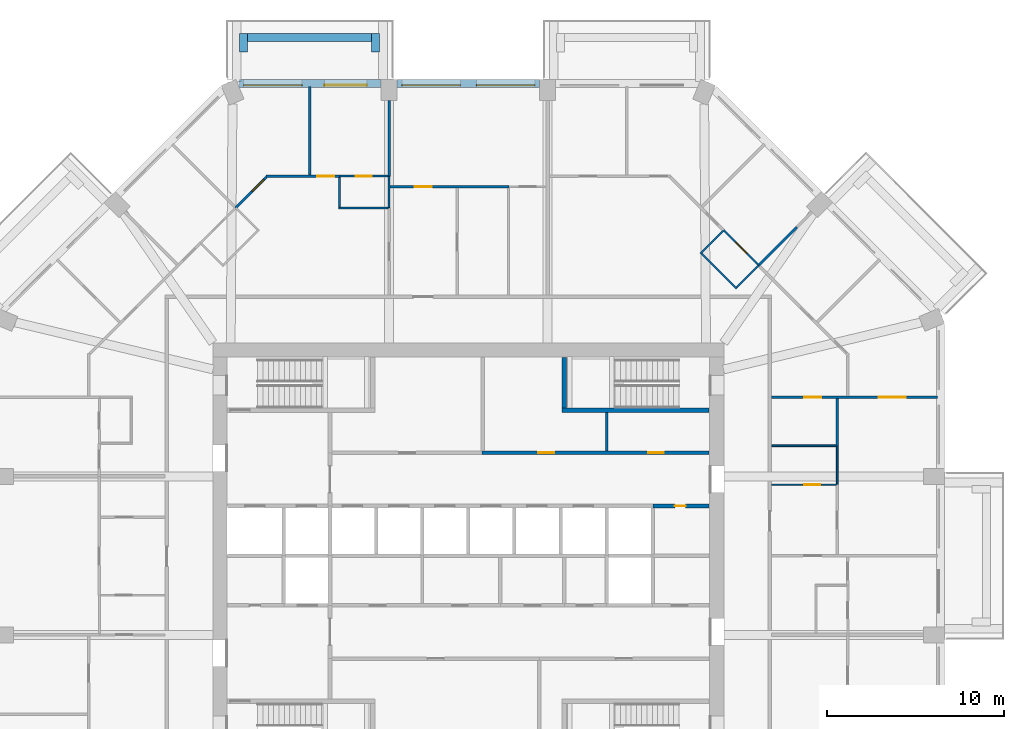
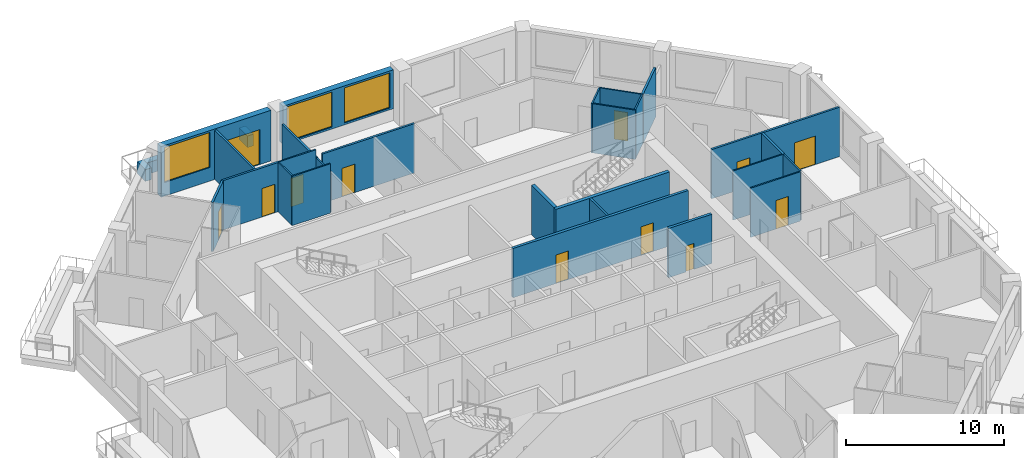
# One storey, part 9 of 13: 29 walls, 12 doors, 3 windows, 15 openings.
"""IFC4 building model written with IfcOpenShell, lengths in metres."""

from ifc_helpers import new_model, si_unit, direction, frame, frame_2d, origin, place, context, subcontext, project, spatial, rectangle, extrude, material, layer, layer_set, type_object, element, fill, save


model = new_model("IFC4")

# Units and contexts
model_context = context("Model", 3, precision=1e-05, world=origin(), true_north=direction((0.0, 1.0)))
body_context = subcontext(model_context, "Body", "Model", "MODEL_VIEW")
ifc_project = project(units=[si_unit("LENGTHUNIT", "METRE"), si_unit("AREAUNIT", "SQUARE_METRE"), si_unit("VOLUMEUNIT", "CUBIC_METRE"), si_unit("PLANEANGLEUNIT", "RADIAN"), si_unit("MASSUNIT", "GRAM", prefix="KILO")], contexts=[model_context])

# Site, building, storey
site_placement = place(None, origin())
site = spatial("IfcSite", under=ifc_project, at=site_placement, CompositionType="ELEMENT")
building_placement = place(site_placement, origin())
building = spatial("IfcBuilding", under=site, at=building_placement, Name="Msitu Wima Residences", CompositionType="ELEMENT")
storey_placement = place(building_placement, frame((0.0, 0.0, 148.5)))
storey = spatial("IfcBuildingStorey", under=building, at=storey_placement, Name="L34", CompositionType="ELEMENT", Elevation=148.5)

# Walls
ifc_material_1 = material(Name="Facing brick")
ifc_layer_1 = layer(ifc_material_1, 0.06494140625, Name="Facing brick")
ifc_material_2 = material(Name="Concrete C40/50", Category="concrete")
ifc_layer_2 = layer(ifc_material_2, 0.156005859375, Name="Concrete C40/50")
ifc_material_3 = material(Name="Waterproofing membrane")
ifc_layer_3 = layer(ifc_material_3, 0.00390625, Name="Waterproofing membrane")
ifc_material_4 = material(Name="Planting soil and planting")
ifc_layer_4 = layer(ifc_material_4, 0.22509765625, Name="Planting soil and planting")
ifc_layer_set_1 = layer_set([ifc_layer_1, ifc_layer_2, ifc_layer_3, ifc_layer_4], Name="Concrete C40/50")
wall_type_1 = type_object("IfcWallType", Name="Balcony planter PLANTER PL450", PredefinedType="USERDEFINED", material=ifc_layer_set_1)
wall_1_placement = place(storey_placement, frame((-5.468505859375, 29.22509765625, 0.0), z_axis=(0.0, 0.0, 1.0), x_axis=(-1.0, 0.0, 0.0)))
element("IfcWall", 1, at=wall_1_placement, inside=storey, type_object=wall_type_1, Name="Balcony planter N2 L34", ObjectType="PLANTER", PredefinedType="USERDEFINED", context=body_context, shape_type="SweptSolid", body=[
    extrude(rectangle(XDim=6.9873046875, YDim=0.449951171875, at=frame_2d((3.49365234375, 0.0))), origin(), (0.0, 0.0, 1.0), 0.89990234375),
])
for number, where, z_axis, x_axis, name in (
    (2, (-5.24365234375, 28.39990234375, 0.0), (0.0, 0.0, 1.0), (0.0, 1.0, 0.0), "Balcony planter N2 L34"),
    (3, (-12.680908203125, 28.39990234375, 0.0), (0.0, 0.0, 1.0), (0.0, 1.0, 0.0), "Balcony planter N2 L34"),
):
    element("IfcWall", number, at=place(storey_placement, frame(where, z_axis=z_axis, x_axis=x_axis)), inside=storey, type_object=wall_type_1, Name=name, ObjectType="PLANTER", PredefinedType="USERDEFINED", context=body_context, shape_type="SweptSolid", body=[
        extrude(rectangle(XDim=1.050048828125, YDim=0.449951171875, at=frame_2d((0.52490234375, 0.0))), origin(), (0.0, 0.0, 1.0), 0.89990234375),
    ])

# Wall, openings, windows
ifc_material_5 = material(Name="Brick (red buff mix)", Category="masonry")
ifc_layer_5 = layer(ifc_material_5, 0.449951171875)
ifc_layer_set_2 = layer_set([ifc_layer_5], Name="Brick (red buff mix)")
wall_type_2 = type_object("IfcWallType", Name="Brick infill wall BW450", PredefinedType="SOLIDWALL", material=ifc_layer_set_2)
wall_2_placement = place(storey_placement, frame((4.0185546875, 26.625, 0.89990234375), z_axis=(0.0, 0.0, 1.0), x_axis=(-1.0, 0.0, 0.0)))
wall_2 = element("IfcWall", 4, at=wall_2_placement, inside=storey, type_object=wall_type_2, Name="Brick infill wall L34 N1", PredefinedType="SOLIDWALL", context=body_context, shape_type="SweptSolid", body=[
    extrude(rectangle(XDim=8.037109375, YDim=0.449951171875, at=frame_2d((4.0185546875, 0.0))), origin(), (0.0, 0.0, 1.0), 3.0),
])
opening_1_placement = place(wall_2_placement, frame((0.2685546875, 0.0, 0.14990234375)))
opening_1 = element("IfcOpeningElement", 5, at=opening_1_placement, cuts=wall_2, Name="Opening W34-35.007", PredefinedType="OPENING", context=body_context, shape_type="SweptSolid", body=[
    extrude(rectangle(XDim=3.300048828125, YDim=2.699951171875, at=frame_2d((1.64990234375, 1.35009765625))), frame((0.0, 0.23486328125, 0.0), z_axis=(0.0, -1.0, 0.0), x_axis=(1.0, 0.0, 0.0)), (0.0, 0.0, 1.0), 0.469970703125),
])
opening_2_placement = place(wall_2_placement, frame((4.46875, 0.0, 0.14990234375)))
opening_2 = element("IfcOpeningElement", 6, at=opening_2_placement, cuts=wall_2, Name="Opening W34-35.008", PredefinedType="OPENING", context=body_context, shape_type="SweptSolid", body=[
    extrude(rectangle(XDim=3.300048828125, YDim=2.699951171875, at=frame_2d((1.64990234375, 1.35009765625))), frame((0.0, 0.23486328125, 0.0), z_axis=(0.0, -1.0, 0.0), x_axis=(1.0, 0.0, 0.0)), (0.0, 0.0, 1.0), 0.469970703125),
])
ifc_material_6 = material(Name="Anodised aluminium, bronze finish, clear low-emissivity double glazing", Category="aluminium")
window_type = type_object("IfcWindowType", Name="Window W3300x2700", PartitioningType="DOUBLE_PANEL_VERTICAL", PredefinedType="WINDOW", material=ifc_material_6)
window_1_placement = place(opening_1_placement, origin())
window_1 = element("IfcWindow", 7, at=window_1_placement, inside=storey, type_object=window_type, Name="Window L34 N1.1", OverallHeight=2.699951171875, OverallWidth=3.300048828125, PartitioningType="SINGLE_PANEL", PredefinedType="WINDOW", context=body_context, shape_type="SweptSolid", body=[
    extrude(rectangle(XDim=3.300048828125, YDim=2.699951171875, at=frame_2d((1.64990234375, 1.35009765625))), frame((0.0, 0.135009765625, 0.0), z_axis=(0.0, -1.0, 0.0), x_axis=(1.0, 0.0, 0.0)), (0.0, 0.0, 1.0), 0.06005859375),
])
fill(opening_1, window_1)
window_2_placement = place(opening_2_placement, origin())
window_2 = element("IfcWindow", 8, at=window_2_placement, inside=storey, type_object=window_type, Name="Window L34 N1.2", OverallHeight=2.699951171875, OverallWidth=3.300048828125, PartitioningType="SINGLE_PANEL", PredefinedType="WINDOW", context=body_context, shape_type="SweptSolid", body=[
    extrude(rectangle(XDim=3.300048828125, YDim=2.699951171875, at=frame_2d((1.64990234375, 1.35009765625))), frame((0.0, 0.135009765625, 0.0), z_axis=(0.0, -1.0, 0.0), x_axis=(1.0, 0.0, 0.0)), (0.0, 0.0, 1.0), 0.06005859375),
])
fill(opening_2, window_2)

# Wall, openings, door, window
wall_3_placement = place(storey_placement, frame((-4.918701171875, 26.625, 0.0), z_axis=(0.0, 0.0, 1.0), x_axis=(-1.0, 0.0, 0.0)))
wall_3 = element("IfcWall", 9, at=wall_3_placement, inside=storey, type_object=wall_type_2, Name="Brick infill wall L34 N2", PredefinedType="SOLIDWALL", context=body_context, shape_type="SweptSolid", body=[
    extrude(rectangle(XDim=8.0, YDim=0.449951171875, at=frame_2d((4.0, 0.0))), origin(), (0.0, 0.0, 1.0), 3.89990234375),
])
opening_3_placement = place(wall_3_placement, frame((0.800048828125, 0.0, 0.0)))
opening_3 = element("IfcOpeningElement", 10, at=opening_3_placement, cuts=wall_3, Name="Opening D34-35.003", PredefinedType="OPENING", context=body_context, shape_type="SweptSolid", body=[
    extrude(rectangle(XDim=2.39990234375, YDim=2.699951171875, at=frame_2d((1.199951171875, 1.35009765625))), frame((0.0, 0.23486328125, 0.0), z_axis=(0.0, -1.0, 0.0), x_axis=(1.0, 0.0, 0.0)), (0.0, 0.0, 1.0), 0.469970703125),
])
opening_4_placement = place(wall_3_placement, frame((4.4501953125, 0.0, 1.050048828125)))
opening_4 = element("IfcOpeningElement", 11, at=opening_4_placement, cuts=wall_3, Name="Opening W34-35.009", PredefinedType="OPENING", context=body_context, shape_type="SweptSolid", body=[
    extrude(rectangle(XDim=3.300048828125, YDim=2.699951171875, at=frame_2d((1.64990234375, 1.35009765625))), frame((0.0, 0.23486328125, 0.0), z_axis=(0.0, -1.0, 0.0), x_axis=(1.0, 0.0, 0.0)), (0.0, 0.0, 1.0), 0.469970703125),
])
door_type_1 = type_object("IfcDoorType", Name="Balcony door D2400x2700", OperationType="SLIDING_TO_LEFT", PredefinedType="DOOR", material=ifc_material_6)
door_1_placement = place(opening_3_placement, origin())
door_1 = element("IfcDoor", 12, at=door_1_placement, inside=storey, type_object=door_type_1, Name="Balcony door L34 N2", OperationType="SINGLE_SWING_LEFT", OverallHeight=2.699951171875, OverallWidth=2.39990234375, PredefinedType="DOOR", context=body_context, shape_type="SweptSolid", body=[
    extrude(rectangle(XDim=2.39990234375, YDim=2.699951171875, at=frame_2d((1.199951171875, 1.35009765625))), frame((0.0, 0.1298828125, 0.0), z_axis=(0.0, -1.0, 0.0), x_axis=(1.0, 0.0, 0.0)), (0.0, 0.0, 1.0), 0.050048828125),
])
fill(opening_3, door_1)
window_3_placement = place(opening_4_placement, origin())
window_3 = element("IfcWindow", 13, at=window_3_placement, inside=storey, type_object=window_type, Name="Window L34 N2.2", OverallHeight=2.699951171875, OverallWidth=3.300048828125, PartitioningType="SINGLE_PANEL", PredefinedType="WINDOW", context=body_context, shape_type="SweptSolid", body=[
    extrude(rectangle(XDim=3.300048828125, YDim=2.699951171875, at=frame_2d((1.64990234375, 1.35009765625))), frame((0.0, 0.135009765625, 0.0), z_axis=(0.0, -1.0, 0.0), x_axis=(1.0, 0.0, 0.0)), (0.0, 0.0, 1.0), 0.06005859375),
])
fill(opening_4, window_3)

# Wall, openings, doors
ifc_material_7 = material(Name="Plaster")
ifc_layer_6 = layer(ifc_material_7, 0.011962890625, Name="Plaster")
ifc_material_8 = material(Name="Concrete blockwork", Category="masonry")
ifc_layer_7 = layer(ifc_material_8, 0.176025390625, Name="Concrete blockwork")
ifc_layer_8 = layer(ifc_material_7, 0.011962890625, Name="Plaster")
ifc_layer_set_3 = layer_set([ifc_layer_6, ifc_layer_7, ifc_layer_8], Name="Concrete blockwork")
wall_type_3 = type_object("IfcWallType", Name="Corridor wall FW200", PredefinedType="PARTITIONING", material=ifc_layer_set_3)
wall_4_placement = place(storey_placement, frame((0.780029296875, 5.800048828125, 0.0), z_axis=(0.0, 0.0, 1.0), x_axis=(1.0, 0.0, 0.0)))
wall_4 = element("IfcWall", 14, at=wall_4_placement, inside=storey, type_object=wall_type_3, Name="Corridor wall", PredefinedType="PARTITIONING", context=body_context, shape_type="SweptSolid", body=[
    extrude(rectangle(XDim=12.7900390625, YDim=0.199951171875, at=frame_2d((6.39501953125, 0.0))), origin(), (0.0, 0.0, 1.0), 3.798095703125),
])
opening_5_placement = place(wall_4_placement, frame((3.14990234375, 0.0, 0.0)))
opening_5 = element("IfcOpeningElement", 15, at=opening_5_placement, cuts=wall_4, Name="Opening D34-35.021", PredefinedType="OPENING", context=body_context, shape_type="SweptSolid", body=[
    extrude(rectangle(XDim=0.89990234375, YDim=2.199951171875, at=frame_2d((0.449951171875, 1.10009765625))), frame((0.0, 0.10986328125, 0.0), z_axis=(0.0, -1.0, 0.0), x_axis=(1.0, 0.0, 0.0)), (0.0, 0.0, 1.0), 0.219970703125),
])
opening_6_placement = place(wall_4_placement, frame((9.35009765625, 0.0, 0.0)))
opening_6 = element("IfcOpeningElement", 16, at=opening_6_placement, cuts=wall_4, Name="Opening D34-35.022", PredefinedType="OPENING", context=body_context, shape_type="SweptSolid", body=[
    extrude(rectangle(XDim=0.89990234375, YDim=2.199951171875, at=frame_2d((0.449951171875, 1.10009765625))), frame((0.0, 0.10986328125, 0.0), z_axis=(0.0, -1.0, 0.0), x_axis=(1.0, 0.0, 0.0)), (0.0, 0.0, 1.0), 0.219970703125),
])
ifc_material_9 = material(Name="Timber flush door", Category="wood")
door_type_2 = type_object("IfcDoorType", Name="Service door D05 900x2200", OperationType="SINGLE_SWING_LEFT", PredefinedType="DOOR", material=ifc_material_9)
door_2_placement = place(opening_5_placement, origin())
door_2 = element("IfcDoor", 17, at=door_2_placement, inside=storey, type_object=door_type_2, Name="Service door", OperationType="SINGLE_SWING_RIGHT", OverallHeight=2.199951171875, OverallWidth=0.89990234375, PredefinedType="DOOR", context=body_context, shape_type="SweptSolid", body=[
    extrude(rectangle(XDim=0.89990234375, YDim=2.199951171875, at=frame_2d((0.449951171875, 1.10009765625))), frame((0.0, 0.02490234375, 0.0), z_axis=(0.0, -1.0, 0.0), x_axis=(1.0, 0.0, 0.0)), (0.0, 0.0, 1.0), 0.050048828125),
])
fill(opening_5, door_2)
door_3_placement = place(opening_6_placement, origin())
door_3 = element("IfcDoor", 18, at=door_3_placement, inside=storey, type_object=door_type_2, Name="Service door", OperationType="SINGLE_SWING_LEFT", OverallHeight=2.199951171875, OverallWidth=0.89990234375, PredefinedType="DOOR", context=body_context, shape_type="SweptSolid", body=[
    extrude(rectangle(XDim=0.89990234375, YDim=2.199951171875, at=frame_2d((0.449951171875, 1.10009765625))), frame((0.0, 0.02490234375, 0.0), z_axis=(0.0, -1.0, 0.0), x_axis=(1.0, 0.0, 0.0)), (0.0, 0.0, 1.0), 0.050048828125),
])
fill(opening_6, door_3)

# Wall, opening, door
ifc_layer_9 = layer(ifc_material_7, 0.011962890625, Name="Plaster")
ifc_layer_10 = layer(ifc_material_8, 0.1259765625, Name="Concrete blockwork")
ifc_layer_11 = layer(ifc_material_7, 0.011962890625, Name="Plaster")
ifc_layer_set_4 = layer_set([ifc_layer_9, ifc_layer_10, ifc_layer_11], Name="Concrete blockwork")
wall_type_4 = type_object("IfcWallType", Name="Partition PW150", PredefinedType="PARTITIONING", material=ifc_layer_set_4)
wall_5_placement = place(storey_placement, frame((-13.118896484375, 19.615966796875, 0.0), z_axis=(0.0, 0.0, 1.0), x_axis=(0.707106781187, 0.707106781187, 0.0)))
wall_5 = element("IfcWall", 19, at=wall_5_placement, inside=storey, type_object=wall_type_4, Name="Partition", PredefinedType="PARTITIONING", context=body_context, shape_type="SweptSolid", body=[
    extrude(rectangle(XDim=2.447998046875, YDim=0.14990234375, at=frame_2d((1.22412109375, 0.0))), origin(), (0.0, 0.0, 1.0), 3.798095703125),
])
opening_7_placement = place(wall_5_placement, frame((1.300048828125, 0.0, 0.0)))
opening_7 = element("IfcOpeningElement", 20, at=opening_7_placement, cuts=wall_5, Name="Opening D34-35.056", PredefinedType="OPENING", context=body_context, shape_type="SweptSolid", body=[
    extrude(rectangle(XDim=0.949951171875, YDim=2.199951171875, at=frame_2d((0.47509765625, 1.10009765625))), frame((0.0, 0.0849609375, 0.0), z_axis=(0.0, -1.0, 0.0), x_axis=(1.0, 0.0, 0.0)), (0.0, 0.0, 1.0), 0.169921875),
])
door_type_3 = type_object("IfcDoorType", Name="Room door D12 950x2200", OperationType="SINGLE_SWING_LEFT", PredefinedType="DOOR", material=ifc_material_9)
door_4_placement = place(opening_7_placement, origin())
door_4 = element("IfcDoor", 21, at=door_4_placement, inside=storey, type_object=door_type_3, Name="Room door", OperationType="SINGLE_SWING_LEFT", OverallHeight=2.199951171875, OverallWidth=0.949951171875, PredefinedType="DOOR", context=body_context, shape_type="SweptSolid", body=[
    extrude(rectangle(XDim=0.949951171875, YDim=2.199951171875, at=frame_2d((0.47509765625, 1.10009765625))), frame((0.0, 0.02490234375, 0.0), z_axis=(0.0, -1.0, 0.0), x_axis=(1.0, 0.0, 0.0)), (0.0, 0.0, 1.0), 0.050048828125),
])
fill(opening_7, door_4)

wall_6_placement = place(storey_placement, frame((-11.409912109375, 21.39990234375, 0.0), z_axis=(0.0, 0.0, 1.0), x_axis=(1.0, 0.0, 0.0)))
wall_6 = element("IfcWall", 22, at=wall_6_placement, inside=storey, type_object=wall_type_4, Name="Partition", PredefinedType="PARTITIONING", context=body_context, shape_type="SweptSolid", body=[
    extrude(rectangle(XDim=4.161376953125, YDim=0.14990234375, at=frame_2d((2.08056640625, 0.0))), origin(), (0.0, 0.0, 1.0), 3.798095703125),
])
opening_8_placement = place(wall_6_placement, frame((2.89990234375, 0.0, 0.0)))
opening_8 = element("IfcOpeningElement", 23, at=opening_8_placement, cuts=wall_6, Name="Opening D34-35.049", PredefinedType="OPENING", context=body_context, shape_type="SweptSolid", body=[
    extrude(rectangle(XDim=0.949951171875, YDim=2.199951171875, at=frame_2d((0.47509765625, 1.10009765625))), frame((0.0, 0.0849609375, 0.0), z_axis=(0.0, -1.0, 0.0), x_axis=(1.0, 0.0, 0.0)), (0.0, 0.0, 1.0), 0.169921875),
])
door_5_placement = place(opening_8_placement, origin())
door_5 = element("IfcDoor", 24, at=door_5_placement, inside=storey, type_object=door_type_3, Name="Room door", OperationType="SINGLE_SWING_LEFT", OverallHeight=2.199951171875, OverallWidth=0.949951171875, PredefinedType="DOOR", context=body_context, shape_type="SweptSolid", body=[
    extrude(rectangle(XDim=0.949951171875, YDim=2.199951171875, at=frame_2d((0.47509765625, 1.10009765625))), frame((0.0, 0.02490234375, 0.0), z_axis=(0.0, -1.0, 0.0), x_axis=(1.0, 0.0, 0.0)), (0.0, 0.0, 1.0), 0.050048828125),
])
fill(opening_8, door_5)

# Wall
wall_7_placement = place(storey_placement, frame((-8.937255859375, 21.47509765625, 0.0), z_axis=(0.0, 0.0, 1.0), x_axis=(0.0, 1.0, 0.0)))
element("IfcWall", 25, at=wall_7_placement, inside=storey, type_object=wall_type_4, Name="Partition", PredefinedType="PARTITIONING", context=body_context, shape_type="SweptSolid", body=[
    extrude(rectangle(XDim=4.97998046875, YDim=0.14990234375, at=frame_2d((2.489990234375, 0.0))), origin(), (0.0, 0.0, 1.0), 3.798095703125),
])

# Wall, opening, door
wall_8_placement = place(storey_placement, frame((-4.418701171875, 20.800048828125, 0.0), z_axis=(0.0, 0.0, 1.0), x_axis=(1.0, 0.0, 0.0)))
wall_8 = element("IfcWall", 26, at=wall_8_placement, inside=storey, type_object=wall_type_4, Name="Partition", PredefinedType="PARTITIONING", context=body_context, shape_type="SweptSolid", body=[
    extrude(rectangle(XDim=6.707275390625, YDim=0.14990234375, at=frame_2d((3.353515625, 0.0))), origin(), (0.0, 0.0, 1.0), 3.798095703125),
])
opening_9_placement = place(wall_8_placement, frame((1.39990234375, 0.0, 0.0)))
opening_9 = element("IfcOpeningElement", 27, at=opening_9_placement, cuts=wall_8, Name="Opening D34-35.046", PredefinedType="OPENING", context=body_context, shape_type="SweptSolid", body=[
    extrude(rectangle(XDim=0.949951171875, YDim=2.199951171875, at=frame_2d((0.47509765625, 1.10009765625))), frame((0.0, 0.0849609375, 0.0), z_axis=(0.0, -1.0, 0.0), x_axis=(1.0, 0.0, 0.0)), (0.0, 0.0, 1.0), 0.169921875),
])
door_6_placement = place(opening_9_placement, origin())
door_6 = element("IfcDoor", 28, at=door_6_placement, inside=storey, type_object=door_type_3, Name="Room door", OperationType="SINGLE_SWING_LEFT", OverallHeight=2.199951171875, OverallWidth=0.949951171875, PredefinedType="DOOR", context=body_context, shape_type="SweptSolid", body=[
    extrude(rectangle(XDim=0.949951171875, YDim=2.199951171875, at=frame_2d((0.47509765625, 1.10009765625))), frame((0.0, 0.02490234375, 0.0), z_axis=(0.0, -1.0, 0.0), x_axis=(1.0, 0.0, 0.0)), (0.0, 0.0, 1.0), 0.050048828125),
])
fill(opening_9, door_6)

# Walls
wall_9_placement = place(storey_placement, frame((-4.46875, 21.3798828125, 0.0), z_axis=(0.0, 0.0, 1.0), x_axis=(0.0, 1.0, 0.0)))
element("IfcWall", 29, at=wall_9_placement, inside=storey, type_object=wall_type_4, Name="Partition", PredefinedType="PARTITIONING", context=body_context, shape_type="SweptSolid", body=[
    extrude(rectangle(XDim=4.27001953125, YDim=0.14990234375, at=frame_2d((2.135009765625, 0.0))), origin(), (0.0, 0.0, 1.0), 3.14990234375),
])
wall_10_placement = place(storey_placement, frame((7.800048828125, 5.89990234375, 0.0), z_axis=(0.0, 0.0, 1.0), x_axis=(0.0, 1.0, 0.0)))
element("IfcWall", 30, at=wall_10_placement, inside=storey, type_object=wall_type_4, Name="Partition", PredefinedType="PARTITIONING", context=body_context, shape_type="SweptSolid", body=[
    extrude(rectangle(XDim=2.175048828125, YDim=0.14990234375, at=frame_2d((1.08740234375, 0.0))), origin(), (0.0, 0.0, 1.0), 3.798095703125),
])
wall_11_placement = place(storey_placement, frame((16.353271484375, 16.353271484375, 0.0), z_axis=(0.0, 0.0, 1.0), x_axis=(0.707106781187, 0.707106781187, 0.0)))
element("IfcWall", 31, at=wall_11_placement, inside=storey, type_object=wall_type_4, Name="Partition", PredefinedType="PARTITIONING", context=body_context, shape_type="SweptSolid", body=[
    extrude(rectangle(XDim=3.060791015625, YDim=0.14990234375, at=frame_2d((1.5302734375, 0.0))), origin(), (0.0, 0.0, 1.0), 3.798095703125),
])

# Wall, openings, doors
wall_12_placement = place(storey_placement, frame((17.10009765625, 8.937255859375, 0.0), z_axis=(0.0, 0.0, 1.0), x_axis=(1.0, 0.0, 0.0)))
wall_12 = element("IfcWall", 32, at=wall_12_placement, inside=storey, type_object=wall_type_4, Name="Partition", PredefinedType="PARTITIONING", context=body_context, shape_type="SweptSolid", body=[
    extrude(rectangle(XDim=9.35498046875, YDim=0.14990234375, at=frame_2d((4.677490234375, 0.0))), origin(), (0.0, 0.0, 1.0), 3.798095703125),
])
opening_10_placement = place(wall_12_placement, frame((6.050048828125, 0.0, 0.0)))
opening_10 = element("IfcOpeningElement", 33, at=opening_10_placement, cuts=wall_12, Name="Opening D34-35.086", PredefinedType="OPENING", context=body_context, shape_type="SweptSolid", body=[
    extrude(rectangle(XDim=1.5, YDim=2.199951171875, at=frame_2d((0.75, 1.10009765625))), frame((0.0, 0.0849609375, 0.0), z_axis=(0.0, -1.0, 0.0), x_axis=(1.0, 0.0, 0.0)), (0.0, 0.0, 1.0), 0.169921875),
])
opening_11_placement = place(wall_12_placement, frame((1.85009765625, 0.0, 0.0)))
opening_11 = element("IfcOpeningElement", 34, at=opening_11_placement, cuts=wall_12, Name="Opening D34-35.042", PredefinedType="OPENING", context=body_context, shape_type="SweptSolid", body=[
    extrude(rectangle(XDim=0.949951171875, YDim=2.199951171875, at=frame_2d((0.47509765625, 1.10009765625))), frame((0.0, 0.0849609375, 0.0), z_axis=(0.0, -1.0, 0.0), x_axis=(1.0, 0.0, 0.0)), (0.0, 0.0, 1.0), 0.169921875),
])
ifc_material_10 = material(Name="Timber double door", Category="wood")
door_type_4 = type_object("IfcDoorType", Name="Double door D04 1500x2200", OperationType="DOUBLE_DOOR_SINGLE_SWING", PredefinedType="DOOR", material=ifc_material_10)
door_7_placement = place(opening_10_placement, origin())
door_7 = element("IfcDoor", 35, at=door_7_placement, inside=storey, type_object=door_type_4, Name="Double door", OperationType="DOUBLE_DOOR_SINGLE_SWING", OverallHeight=2.199951171875, OverallWidth=1.5, PredefinedType="DOOR", context=body_context, shape_type="SweptSolid", body=[
    extrude(rectangle(XDim=1.5, YDim=2.199951171875, at=frame_2d((0.75, 1.10009765625))), frame((0.0, 0.02490234375, 0.0), z_axis=(0.0, -1.0, 0.0), x_axis=(1.0, 0.0, 0.0)), (0.0, 0.0, 1.0), 0.050048828125),
])
fill(opening_10, door_7)
door_8_placement = place(opening_11_placement, origin())
door_8 = element("IfcDoor", 36, at=door_8_placement, inside=storey, type_object=door_type_3, Name="Room door", OperationType="SINGLE_SWING_LEFT", OverallHeight=2.199951171875, OverallWidth=0.949951171875, PredefinedType="DOOR", context=body_context, shape_type="SweptSolid", body=[
    extrude(rectangle(XDim=0.949951171875, YDim=2.199951171875, at=frame_2d((0.47509765625, 1.10009765625))), frame((0.0, 0.02490234375, 0.0), z_axis=(0.0, -1.0, 0.0), x_axis=(1.0, 0.0, 0.0)), (0.0, 0.0, 1.0), 0.050048828125),
])
fill(opening_11, door_8)

# Wall
wall_13_placement = place(storey_placement, frame((20.800048828125, 6.179931640625, 0.0), z_axis=(0.0, 0.0, 1.0), x_axis=(0.0, 1.0, 0.0)))
element("IfcWall", 37, at=wall_13_placement, inside=storey, type_object=wall_type_4, Name="Partition", PredefinedType="PARTITIONING", context=body_context, shape_type="SweptSolid", body=[
    extrude(rectangle(XDim=2.682373046875, YDim=0.14990234375, at=frame_2d((1.34130859375, 0.0))), origin(), (0.0, 0.0, 1.0), 3.798095703125),
])

# Wall, opening, door
ifc_layer_12 = layer(ifc_material_7, 0.011962890625, Name="Plaster")
ifc_material_11 = material(Name="Reinforced concrete blockwork", Category="masonry")
ifc_layer_13 = layer(ifc_material_11, 0.176025390625, Name="Reinforced concrete blockwork")
ifc_layer_14 = layer(ifc_material_7, 0.011962890625, Name="Plaster")
ifc_layer_set_5 = layer_set([ifc_layer_12, ifc_layer_13, ifc_layer_14], Name="Reinforced concrete blockwork")
wall_type_5 = type_object("IfcWallType", Name="Plant and riser wall PL200", PredefinedType="PARTITIONING", material=ifc_layer_set_5)
wall_14_placement = place(storey_placement, frame((10.39990234375, 2.800048828125, 0.0), z_axis=(0.0, 0.0, 1.0), x_axis=(1.0, 0.0, 0.0)))
wall_14 = element("IfcWall", 38, at=wall_14_placement, inside=storey, type_object=wall_type_5, Name="Plant and riser wall", PredefinedType="PARTITIONING", context=body_context, shape_type="SweptSolid", body=[
    extrude(rectangle(XDim=3.170166015625, YDim=0.199951171875, at=frame_2d((1.5849609375, 0.0))), origin(), (0.0, 0.0, 1.0), 3.798095703125),
])
opening_12_placement = place(wall_14_placement, frame((1.25, 0.0, 0.0)))
opening_12 = element("IfcOpeningElement", 39, at=opening_12_placement, cuts=wall_14, Name="Opening D34-35.027", PredefinedType="OPENING", context=body_context, shape_type="SweptSolid", body=[
    extrude(rectangle(XDim=0.60009765625, YDim=2.0, at=frame_2d((0.300048828125, 1.0))), frame((0.0, 0.10986328125, 0.0), z_axis=(0.0, -1.0, 0.0), x_axis=(1.0, 0.0, 0.0)), (0.0, 0.0, 1.0), 0.219970703125),
])
ifc_material_12 = material(Name="Steel access door, fire resisting", Category="steel")
door_type_5 = type_object("IfcDoorType", Name="Riser access door D08 600x2000", OperationType="SINGLE_SWING_LEFT", PredefinedType="DOOR", material=ifc_material_12)
door_9_placement = place(opening_12_placement, origin())
door_9 = element("IfcDoor", 40, at=door_9_placement, inside=storey, type_object=door_type_5, Name="Riser access door", OperationType="SINGLE_SWING_RIGHT", OverallHeight=2.0, OverallWidth=0.60009765625, PredefinedType="DOOR", context=body_context, shape_type="SweptSolid", body=[
    extrude(rectangle(XDim=0.60009765625, YDim=2.0, at=frame_2d((0.300048828125, 1.0))), frame((0.0, 0.02490234375, 0.0), z_axis=(0.0, -1.0, 0.0), x_axis=(1.0, 0.0, 0.0)), (0.0, 0.0, 1.0), 0.050048828125),
])
fill(opening_12, door_9)

# Walls
ifc_material_13 = material(Name="Concrete C50/60", Category="concrete")
ifc_layer_15 = layer(ifc_material_13, 0.25)
ifc_layer_set_6 = layer_set([ifc_layer_15], Name="Concrete C50/60")
wall_type_6 = type_object("IfcWallType", Name="Stair enclosure wall SW250", PredefinedType="SHEAR", material=ifc_layer_set_6)
wall_15_placement = place(storey_placement, frame((5.39990234375, 8.324951171875, 0.0), z_axis=(0.0, 0.0, 1.0), x_axis=(0.0, 1.0, 0.0)))
element("IfcWall", 41, at=wall_15_placement, inside=storey, type_object=wall_type_6, Name="Stair enclosure wall", PredefinedType="SHEAR", context=body_context, shape_type="SweptSolid", body=[
    extrude(rectangle(XDim=2.844970703125, YDim=0.25, at=frame_2d((1.42236328125, 0.0))), origin(), (0.0, 0.0, 1.0), 3.798095703125),
])
wall_16_placement = place(storey_placement, frame((5.27490234375, 8.199951171875, 0.0), z_axis=(0.0, 0.0, 1.0), x_axis=(1.0, 0.0, 0.0)))
element("IfcWall", 42, at=wall_16_placement, inside=storey, type_object=wall_type_6, Name="Stair enclosure wall", PredefinedType="SHEAR", context=body_context, shape_type="SweptSolid", body=[
    extrude(rectangle(XDim=8.295166015625, YDim=0.25, at=frame_2d((4.1474609375, 0.0))), origin(), (0.0, 0.0, 1.0), 3.798095703125),
])

# Wall, opening, door
ifc_material_14 = material(Name="Ceramic tiles")
ifc_layer_16 = layer(ifc_material_14, 0.008056640625, Name="Ceramic tiles")
ifc_material_15 = material(Name="Moisture-resistant board")
ifc_layer_17 = layer(ifc_material_15, 0.012451171875, Name="Moisture-resistant board")
ifc_material_16 = material(Name="Light-gauge stud framing with mineral wool")
ifc_layer_18 = layer(ifc_material_16, 0.06689453125, Name="Light-gauge stud framing with mineral wool")
ifc_layer_19 = layer(ifc_material_15, 0.012451171875, Name="Moisture-resistant board")
ifc_layer_set_7 = layer_set([ifc_layer_16, ifc_layer_17, ifc_layer_18, ifc_layer_19], Name="Light-gauge stud framing with mineral wool")
wall_type_7 = type_object("IfcWallType", Name="Wet wall PW100", PredefinedType="PARTITIONING", material=ifc_layer_set_7)
wall_17_placement = place(storey_placement, frame((-7.24853515625, 21.39990234375, 0.0), z_axis=(0.0, 0.0, 1.0), x_axis=(1.0, 0.0, 0.0)))
wall_17 = element("IfcWall", 43, at=wall_17_placement, inside=storey, type_object=wall_type_7, Name="Wet wall", PredefinedType="PARTITIONING", context=body_context, shape_type="SweptSolid", body=[
    extrude(rectangle(XDim=2.704833984375, YDim=0.10009765625, at=frame_2d((1.3525390625, 0.0))), origin(), (0.0, 0.0, 1.0), 3.798095703125),
])
opening_13_placement = place(wall_17_placement, frame((0.89990234375, 0.0, 0.0)))
opening_13 = element("IfcOpeningElement", 44, at=opening_13_placement, cuts=wall_17, Name="Opening D34-35.051", PredefinedType="OPENING", context=body_context, shape_type="SweptSolid", body=[
    extrude(rectangle(XDim=0.89990234375, YDim=2.199951171875, at=frame_2d((0.449951171875, 1.10009765625))), frame((0.0, 0.06005859375, 0.0), z_axis=(0.0, -1.0, 0.0), x_axis=(1.0, 0.0, 0.0)), (0.0, 0.0, 1.0), 0.1201171875),
])
ifc_material_17 = material(Name="Timber flush door, moisture resistant", Category="wood")
door_type_6 = type_object("IfcDoorType", Name="Bathroom door D03 900x2200", OperationType="SINGLE_SWING_LEFT", PredefinedType="DOOR", material=ifc_material_17)
door_10_placement = place(opening_13_placement, origin())
door_10 = element("IfcDoor", 45, at=door_10_placement, inside=storey, type_object=door_type_6, Name="Bathroom door", OperationType="SINGLE_SWING_RIGHT", OverallHeight=2.199951171875, OverallWidth=0.89990234375, PredefinedType="DOOR", context=body_context, shape_type="SweptSolid", body=[
    extrude(rectangle(XDim=0.89990234375, YDim=2.199951171875, at=frame_2d((0.449951171875, 1.10009765625))), frame((0.0, 0.02490234375, 0.0), z_axis=(0.0, -1.0, 0.0), x_axis=(1.0, 0.0, 0.0)), (0.0, 0.0, 1.0), 0.050048828125),
])
fill(opening_13, door_10)

# Walls
wall_18_placement = place(storey_placement, frame((-7.2685546875, 19.64990234375, 0.0), z_axis=(0.0, 0.0, 1.0), x_axis=(0.0, 1.0, 0.0)))
element("IfcWall", 46, at=wall_18_placement, inside=storey, type_object=wall_type_7, Name="Wet wall", PredefinedType="PARTITIONING", context=body_context, shape_type="SweptSolid", body=[
    extrude(rectangle(XDim=1.675048828125, YDim=0.10009765625, at=frame_2d((0.83740234375, 0.0))), origin(), (0.0, 0.0, 1.0), 3.798095703125),
])
wall_19_placement = place(storey_placement, frame((-7.318603515625, 19.60009765625, 0.0), z_axis=(0.0, 0.0, 1.0), x_axis=(1.0, 0.0, 0.0)))
element("IfcWall", 47, at=wall_19_placement, inside=storey, type_object=wall_type_7, Name="Wet wall", PredefinedType="PARTITIONING", context=body_context, shape_type="SweptSolid", body=[
    extrude(rectangle(XDim=2.800048828125, YDim=0.10009765625, at=frame_2d((1.39990234375, 0.0))), origin(), (0.0, 0.0, 1.0), 3.798095703125),
])
wall_20_placement = place(storey_placement, frame((-4.46875, 19.6201171875, 0.0), z_axis=(0.0, 0.0, 1.0), x_axis=(0.0, 1.0, 0.0)))
element("IfcWall", 48, at=wall_20_placement, inside=storey, type_object=wall_type_7, Name="Wet wall", PredefinedType="PARTITIONING", context=body_context, shape_type="SweptSolid", body=[
    extrude(rectangle(XDim=1.759765625, YDim=0.10009765625, at=frame_2d((0.8798828125, 0.0))), origin(), (0.0, 0.0, 1.0), 3.14990234375),
])
wall_21_placement = place(storey_placement, frame((13.079345703125, 17.0390625, 0.0), z_axis=(0.0, 0.0, 1.0), x_axis=(0.707038962956, 0.707174592913, 0.0)))
element("IfcWall", 49, at=wall_21_placement, inside=storey, type_object=wall_type_7, Name="Wet wall", PredefinedType="PARTITIONING", context=body_context, shape_type="SweptSolid", body=[
    extrude(rectangle(XDim=1.800048828125, YDim=0.10009765625, at=frame_2d((0.89990234375, 0.0))), origin(), (0.0, 0.0, 1.0), 3.798095703125),
])
wall_22_placement = place(storey_placement, frame((13.150146484375, 17.0390625, 0.0), z_axis=(0.0, 0.0, 1.0), x_axis=(0.707106781187, -0.707106781187, 0.0)))
element("IfcWall", 50, at=wall_22_placement, inside=storey, type_object=wall_type_7, Name="Wet wall", PredefinedType="PARTITIONING", context=body_context, shape_type="SweptSolid", body=[
    extrude(rectangle(XDim=2.7998046875, YDim=0.10009765625, at=frame_2d((1.39990234375, 0.0))), origin(), (0.0, 0.0, 1.0), 3.798095703125),
])

# Wall, opening, door
wall_23_placement = place(storey_placement, frame((14.387451171875, 18.347412109375, 0.0), z_axis=(0.0, 0.0, 1.0), x_axis=(0.707106781187, -0.707106781187, 0.0)))
wall_23 = element("IfcWall", 51, at=wall_23_placement, inside=storey, type_object=wall_type_7, Name="Wet wall", PredefinedType="PARTITIONING", context=body_context, shape_type="SweptSolid", body=[
    extrude(rectangle(XDim=2.800048828125, YDim=0.10009765625, at=frame_2d((1.39990234375, 0.0))), origin(), (0.0, 0.0, 1.0), 3.798095703125),
])
opening_14_placement = place(wall_23_placement, frame((0.949951171875, 0.0, 0.0)))
opening_14 = element("IfcOpeningElement", 52, at=opening_14_placement, cuts=wall_23, Name="Opening D34-35.040", PredefinedType="OPENING", context=body_context, shape_type="SweptSolid", body=[
    extrude(rectangle(XDim=0.89990234375, YDim=2.199951171875, at=frame_2d((0.449951171875, 1.10009765625))), frame((0.0, 0.06005859375, 0.0), z_axis=(0.0, -1.0, 0.0), x_axis=(1.0, 0.0, 0.0)), (0.0, 0.0, 1.0), 0.1201171875),
])
door_11_placement = place(opening_14_placement, origin())
door_11 = element("IfcDoor", 53, at=door_11_placement, inside=storey, type_object=door_type_6, Name="Bathroom door", OperationType="SINGLE_SWING_LEFT", OverallHeight=2.199951171875, OverallWidth=0.89990234375, PredefinedType="DOOR", context=body_context, shape_type="SweptSolid", body=[
    extrude(rectangle(XDim=0.89990234375, YDim=2.199951171875, at=frame_2d((0.449951171875, 1.10009765625))), frame((0.0, 0.02490234375, 0.0), z_axis=(0.0, -1.0, 0.0), x_axis=(1.0, 0.0, 0.0)), (0.0, 0.0, 1.0), 0.050048828125),
])
fill(opening_14, door_11)

# Wall
wall_24_placement = place(storey_placement, frame((15.1298828125, 15.1298828125, 0.0), z_axis=(0.0, 0.0, 1.0), x_axis=(0.707106781187, 0.707106781187, 0.0)))
element("IfcWall", 54, at=wall_24_placement, inside=storey, type_object=wall_type_7, Name="Wet wall", PredefinedType="PARTITIONING", context=body_context, shape_type="SweptSolid", body=[
    extrude(rectangle(XDim=1.730224609375, YDim=0.10009765625, at=frame_2d((0.865234375, 0.0))), origin(), (0.0, 0.0, 1.0), 3.798095703125),
])

# Wall, opening, door
wall_25_placement = place(storey_placement, frame((17.10009765625, 4.0, 0.0), z_axis=(0.0, 0.0, 1.0), x_axis=(1.0, 0.0, 0.0)))
wall_25 = element("IfcWall", 55, at=wall_25_placement, inside=storey, type_object=wall_type_7, Name="Wet wall", PredefinedType="PARTITIONING", context=body_context, shape_type="SweptSolid", body=[
    extrude(rectangle(XDim=3.64990234375, YDim=0.10009765625, at=frame_2d((1.824951171875, 0.0))), origin(), (0.0, 0.0, 1.0), 3.798095703125),
])
opening_15_placement = place(wall_25_placement, frame((1.85009765625, 0.0, 0.0)))
opening_15 = element("IfcOpeningElement", 56, at=opening_15_placement, cuts=wall_25, Name="Opening D34-35.061", PredefinedType="OPENING", context=body_context, shape_type="SweptSolid", body=[
    extrude(rectangle(XDim=0.89990234375, YDim=2.199951171875, at=frame_2d((0.449951171875, 1.10009765625))), frame((0.0, 0.06005859375, 0.0), z_axis=(0.0, -1.0, 0.0), x_axis=(1.0, 0.0, 0.0)), (0.0, 0.0, 1.0), 0.1201171875),
])
door_12_placement = place(opening_15_placement, origin())
door_12 = element("IfcDoor", 57, at=door_12_placement, inside=storey, type_object=door_type_6, Name="Bathroom door", OperationType="SINGLE_SWING_RIGHT", OverallHeight=2.199951171875, OverallWidth=0.89990234375, PredefinedType="DOOR", context=body_context, shape_type="SweptSolid", body=[
    extrude(rectangle(XDim=0.89990234375, YDim=2.199951171875, at=frame_2d((0.449951171875, 1.10009765625))), frame((0.0, 0.02490234375, 0.0), z_axis=(0.0, -1.0, 0.0), x_axis=(1.0, 0.0, 0.0)), (0.0, 0.0, 1.0), 0.050048828125),
])
fill(opening_15, door_12)

# Walls
wall_26_placement = place(storey_placement, frame((17.10009765625, 6.199951171875, 0.0), z_axis=(0.0, 0.0, 1.0), x_axis=(1.0, 0.0, 0.0)))
element("IfcWall", 58, at=wall_26_placement, inside=storey, type_object=wall_type_7, Name="Wet wall", PredefinedType="PARTITIONING", context=body_context, shape_type="SweptSolid", body=[
    extrude(rectangle(XDim=3.625, YDim=0.10009765625, at=frame_2d((1.8125, 0.0))), origin(), (0.0, 0.0, 1.0), 3.798095703125),
])
wall_27_placement = place(storey_placement, frame((20.800048828125, 4.02001953125, 0.0), z_axis=(0.0, 0.0, 1.0), x_axis=(0.0, 1.0, 0.0)))
element("IfcWall", 59, at=wall_27_placement, inside=storey, type_object=wall_type_7, Name="Wet wall", PredefinedType="PARTITIONING", context=body_context, shape_type="SweptSolid", body=[
    extrude(rectangle(XDim=2.159912109375, YDim=0.10009765625, at=frame_2d((1.080078125, 0.0))), origin(), (0.0, 0.0, 1.0), 3.798095703125),
])

save(model, "model.ifc")
